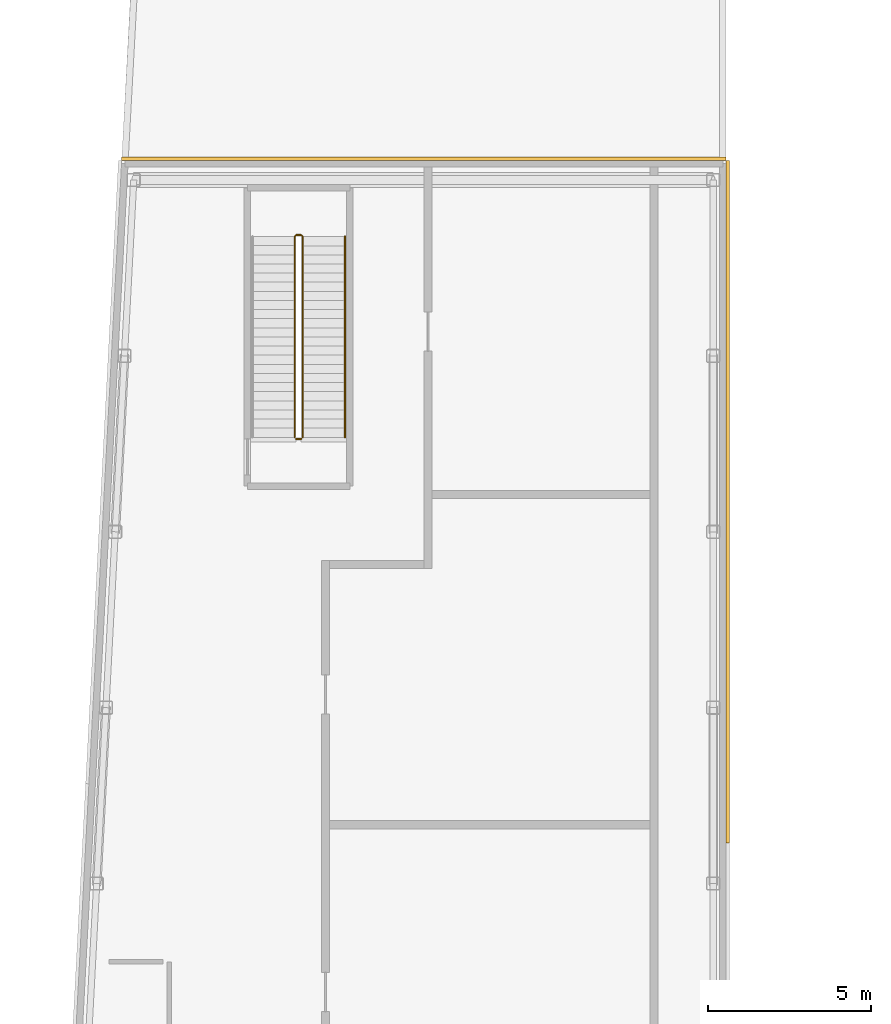
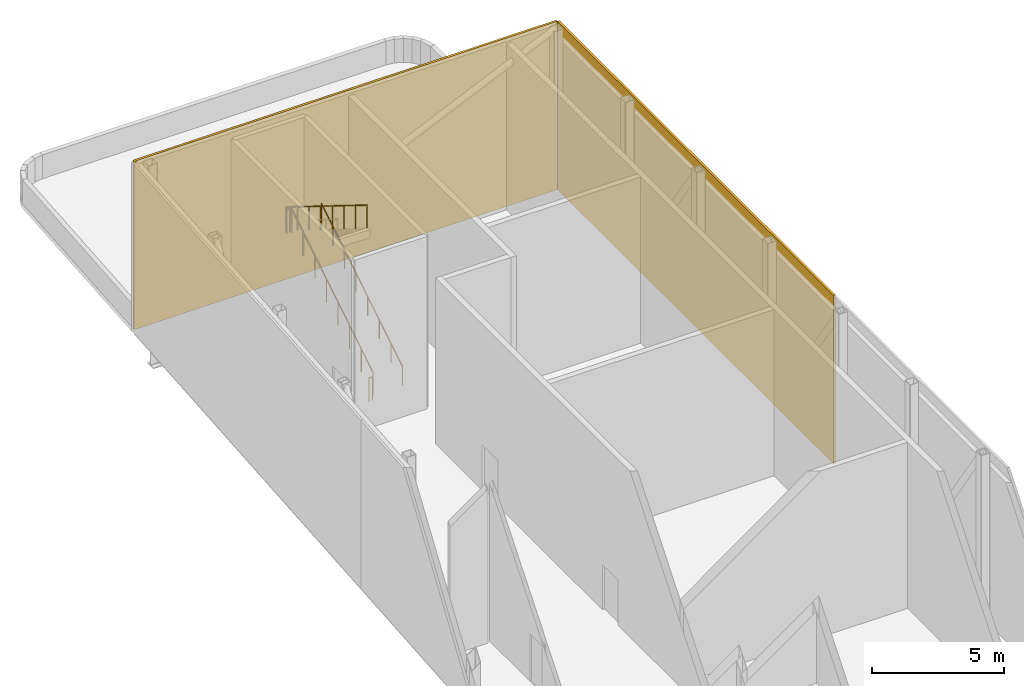
# One storey, part 10 of 10: 3 railings, 2 shading devices.
"""IFC4 building model written with IfcOpenShell, lengths in metres."""

from ifc_helpers import new_model, si_unit, direction, frame, origin, origin_2d, place, context, subcontext, project, spatial, rectangle, circle, extrude, material, layer, layer_set, type_object, element, save


model = new_model("IFC4")

# Units and contexts
model_context = context("Model", 3, precision=1e-05, world=origin(), true_north=direction((0.0, 1.0)))
body_context = subcontext(model_context, "Body", "Model", "MODEL_VIEW")
ifc_project = project(units=[si_unit("LENGTHUNIT", "METRE"), si_unit("AREAUNIT", "SQUARE_METRE"), si_unit("VOLUMEUNIT", "CUBIC_METRE"), si_unit("PLANEANGLEUNIT", "RADIAN"), si_unit("MASSUNIT", "GRAM", prefix="KILO")], contexts=[model_context])

# Site, building, storey
site_placement = place(None, origin())
site = spatial("IfcSite", under=ifc_project, at=site_placement, CompositionType="ELEMENT")
building_placement = place(site_placement, origin())
building = spatial("IfcBuilding", under=site, at=building_placement, Name="Kheshtan School and Residences Tower", CompositionType="ELEMENT")
storey_placement = place(building_placement, frame((0.0, 0.0, 396.800048828125)))
storey = spatial("IfcBuildingStorey", under=building, at=storey_placement, Name="L93", CompositionType="ELEMENT", Elevation=396.800048828125)

# Shading devices
ifc_material_1 = material(Name="Terracotta louvre blades", Category="masonry")
ifc_layer = layer(ifc_material_1, 0.10009765625)
ifc_layer_set = layer_set([ifc_layer], Name="Plant louvre screen")
shading_device_type = type_object("IfcShadingDeviceType", Name="Plant louvre screen", PredefinedType="JALOUSIE", material=ifc_layer_set)
shading_device_1_placement = place(storey_placement, frame((38.720947265625, 89.449951171875, 0.0), z_axis=(0.0, 0.0, 1.0), x_axis=(1.0, 0.0, 0.0)))
element("IfcShadingDevice", 1, at=shading_device_1_placement, inside=storey, type_object=shading_device_type, Name="Plant louvre L93 11.1", PredefinedType="JALOUSIE", context=body_context, shape_type="SweptSolid", body=[
    extrude(rectangle(XDim=18.55810546875, YDim=0.10009765625, at=origin_2d()), origin(), (0.0, 0.0, 1.0), 7.800048828125),
])
shading_device_2_placement = place(storey_placement, frame((48.050048828125, 78.925048828125, 0.0), z_axis=(0.0, 0.0, 1.0), x_axis=(0.0, -1.0, 0.0)))
element("IfcShadingDevice", 2, at=shading_device_2_placement, inside=storey, type_object=shading_device_type, Name="Plant louvre L93 12.1", PredefinedType="JALOUSIE", context=body_context, shape_type="SweptSolid", body=[
    extrude(rectangle(XDim=20.949951171875, YDim=0.10009765625, at=origin_2d()), origin(), (0.0, 0.0, 1.0), 7.800048828125),
])

# Railings
ifc_material_2 = material(Name="Stainless steel balustrade", Category="steel")
railing_type_1 = type_object("IfcRailingType", Name="Stair guard 1100", PredefinedType="GUARDRAIL", material=ifc_material_2)
railing_1_placement = place(storey_placement, frame((35.0, 80.89990234375, 0.173828125)))
element("IfcRailing", 3, at=railing_1_placement, inside=storey, type_object=railing_type_1, Name="L93 ST3 stair guard 1", PredefinedType="GUARDRAIL", context=body_context, shape_type="SweptSolid", body=[
    extrude(circle(Radius=0.02392578125, at=origin_2d()), frame((0.0, 0.0, 1.076171875), z_axis=(0.0, 0.849477832307, 0.527624309921), x_axis=(-1.0, 0.0, 0.0)), (0.0, 0.0, 1.0), 7.251708984375),
    extrude(circle(Radius=0.02392578125, at=origin_2d()), frame((0.0, 6.16015625, 4.90234375), z_axis=(-0.707106781187, 0.707106781187, 0.0), x_axis=(-0.707106781187, -0.707106781187, 0.0)), (0.0, 0.0, 1.0), 0.07080078125),
    extrude(circle(Radius=0.02392578125, at=origin_2d()), frame((-0.050048828125, 6.210205078125, 4.90234375), z_axis=(-1.0, 0.0, 0.0), x_axis=(0.0, -1.0, 0.0)), (0.0, 0.0, 1.0), 0.14990234375),
    extrude(circle(Radius=0.02392578125, at=origin_2d()), frame((-0.199951171875, 6.210205078125, 4.90234375), z_axis=(-0.266662732588, -0.266662732588, 0.92616519806), x_axis=(0.707106781187, -0.707106781187, 0.0)), (0.0, 0.0, 1.0), 0.187744140625),
    extrude(circle(Radius=0.02392578125, at=origin_2d()), frame((-0.25, 6.16015625, 5.076171875), z_axis=(0.0, -0.849477832307, 0.527624309921), x_axis=(1.0, 0.0, 0.0)), (0.0, 0.0, 1.0), 7.251708984375),
    extrude(circle(Radius=0.02099609375, at=origin_2d()), origin(), (0.0, 0.0, 1.0), 1.052001953125),
    extrude(circle(Radius=0.02099609375, at=origin_2d()), frame((0.0, 0.880126953125, 0.546630859375)), (0.0, 0.0, 1.0), 1.052001953125),
    extrude(circle(Radius=0.02099609375, at=origin_2d()), frame((0.0, 1.760009765625, 1.09326171875)), (0.0, 0.0, 1.0), 1.052001953125),
    extrude(circle(Radius=0.02099609375, at=origin_2d()), frame((0.0, 2.64013671875, 1.639892578125)), (0.0, 0.0, 1.0), 1.052001953125),
    extrude(circle(Radius=0.02099609375, at=origin_2d()), frame((0.0, 3.52001953125, 2.186279296875)), (0.0, 0.0, 1.0), 1.052001953125),
    extrude(circle(Radius=0.02099609375, at=origin_2d()), frame((0.0, 4.400146484375, 2.73291015625)), (0.0, 0.0, 1.0), 1.052001953125),
    extrude(circle(Radius=0.02099609375, at=origin_2d()), frame((0.0, 5.280029296875, 3.279541015625)), (0.0, 0.0, 1.0), 1.052001953125),
    extrude(circle(Radius=0.02099609375, at=origin_2d()), frame((0.0, 6.16015625, 3.826171875)), (0.0, 0.0, 1.0), 1.052001953125),
    extrude(circle(Radius=0.02099609375, at=origin_2d()), frame((-0.050048828125, 6.210205078125, 3.826171875)), (0.0, 0.0, 1.0), 1.052001953125),
    extrude(circle(Radius=0.02099609375, at=origin_2d()), frame((-0.199951171875, 6.210205078125, 3.826171875)), (0.0, 0.0, 1.0), 1.052001953125),
    extrude(circle(Radius=0.02099609375, at=origin_2d()), frame((-0.25, 6.16015625, 4.0)), (0.0, 0.0, 1.0), 1.052001953125),
    extrude(circle(Radius=0.02099609375, at=origin_2d()), frame((-0.25, 5.280029296875, 4.546630859375)), (0.0, 0.0, 1.0), 1.052001953125),
    extrude(circle(Radius=0.02099609375, at=origin_2d()), frame((-0.25, 4.400146484375, 5.09326171875)), (0.0, 0.0, 1.0), 1.052001953125),
    extrude(circle(Radius=0.02099609375, at=origin_2d()), frame((-0.25, 3.52001953125, 5.639892578125)), (0.0, 0.0, 1.0), 1.052001953125),
    extrude(circle(Radius=0.02099609375, at=origin_2d()), frame((-0.25, 2.64013671875, 6.186279296875)), (0.0, 0.0, 1.0), 1.052001953125),
    extrude(circle(Radius=0.02099609375, at=origin_2d()), frame((-0.25, 1.760009765625, 6.73291015625)), (0.0, 0.0, 1.0), 1.052001953125),
    extrude(circle(Radius=0.02099609375, at=origin_2d()), frame((-0.25, 0.880126953125, 7.279541015625)), (0.0, 0.0, 1.0), 1.052001953125),
    extrude(circle(Radius=0.02099609375, at=origin_2d()), frame((-0.25, 0.0, 7.826171875)), (0.0, 0.0, 1.0), 1.052001953125),
])
railing_2_placement = place(storey_placement, frame((34.949951171875, 80.85009765625, 0.0)))
element("IfcRailing", 4, at=railing_2_placement, inside=storey, type_object=railing_type_1, Name="L93 ST3 stair guard 2", PredefinedType="GUARDRAIL", context=body_context, shape_type="SweptSolid", body=[
    extrude(circle(Radius=0.02392578125, at=origin_2d()), frame((0.0, 0.0, 1.076171875), z_axis=(-1.0, 0.0, 0.0), x_axis=(0.0, -1.0, 0.0)), (0.0, 0.0, 1.0), 0.14990234375),
    extrude(circle(Radius=0.02099609375, at=origin_2d()), origin(), (0.0, 0.0, 1.0), 1.052001953125),
    extrude(circle(Radius=0.02099609375, at=origin_2d()), frame((-0.14990234375, 0.0, 0.0)), (0.0, 0.0, 1.0), 1.052001953125),
])
ifc_material_3 = material(Name="Stainless steel handrail", Category="steel")
railing_type_2 = type_object("IfcRailingType", Name="Stair handrail 900", PredefinedType="HANDRAIL", material=ifc_material_3)
railing_3_placement = place(storey_placement, frame((36.300048828125, 80.89990234375, 0.173828125)))
element("IfcRailing", 5, at=railing_3_placement, inside=storey, type_object=railing_type_2, Name="L93 ST3 stair handrail 1", PredefinedType="HANDRAIL", context=body_context, shape_type="SweptSolid", body=[
    extrude(circle(Radius=0.02392578125, at=origin_2d()), frame((0.0, 0.0, 0.8759765625), z_axis=(0.0, 0.849477832307, 0.527624309921), x_axis=(-1.0, 0.0, 0.0)), (0.0, 0.0, 1.0), 7.251708984375),
    extrude(circle(Radius=0.02099609375, at=origin_2d()), origin(), (0.0, 0.0, 1.0), 0.851806640625),
    extrude(circle(Radius=0.02099609375, at=origin_2d()), frame((0.0, 0.880126953125, 0.546630859375)), (0.0, 0.0, 1.0), 0.851806640625),
    extrude(circle(Radius=0.02099609375, at=origin_2d()), frame((0.0, 1.760009765625, 1.09326171875)), (0.0, 0.0, 1.0), 0.851806640625),
    extrude(circle(Radius=0.02099609375, at=origin_2d()), frame((0.0, 2.64013671875, 1.639892578125)), (0.0, 0.0, 1.0), 0.851806640625),
    extrude(circle(Radius=0.02099609375, at=origin_2d()), frame((0.0, 3.52001953125, 2.186279296875)), (0.0, 0.0, 1.0), 0.851806640625),
    extrude(circle(Radius=0.02099609375, at=origin_2d()), frame((0.0, 4.400146484375, 2.73291015625)), (0.0, 0.0, 1.0), 0.851806640625),
    extrude(circle(Radius=0.02099609375, at=origin_2d()), frame((0.0, 5.280029296875, 3.279541015625)), (0.0, 0.0, 1.0), 0.851806640625),
    extrude(circle(Radius=0.02099609375, at=origin_2d()), frame((0.0, 6.16015625, 3.826171875)), (0.0, 0.0, 1.0), 0.851806640625),
])

save(model, "model.ifc")
